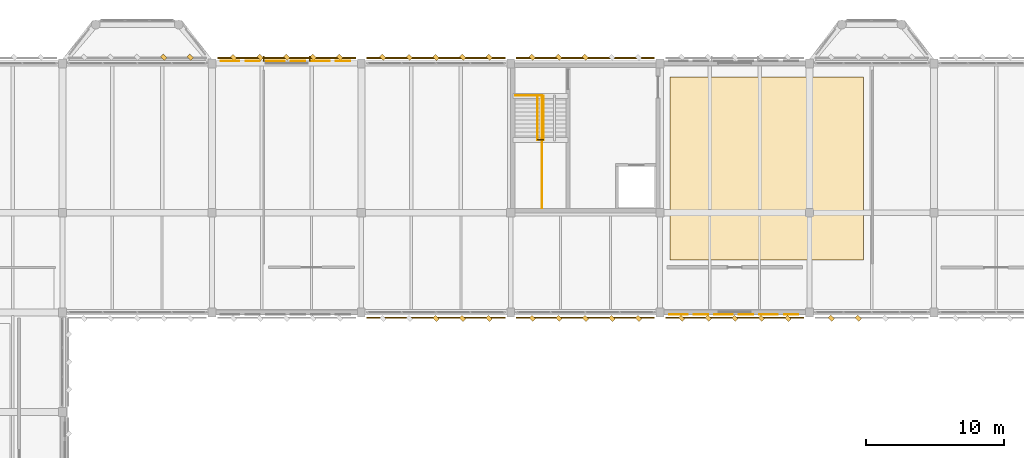
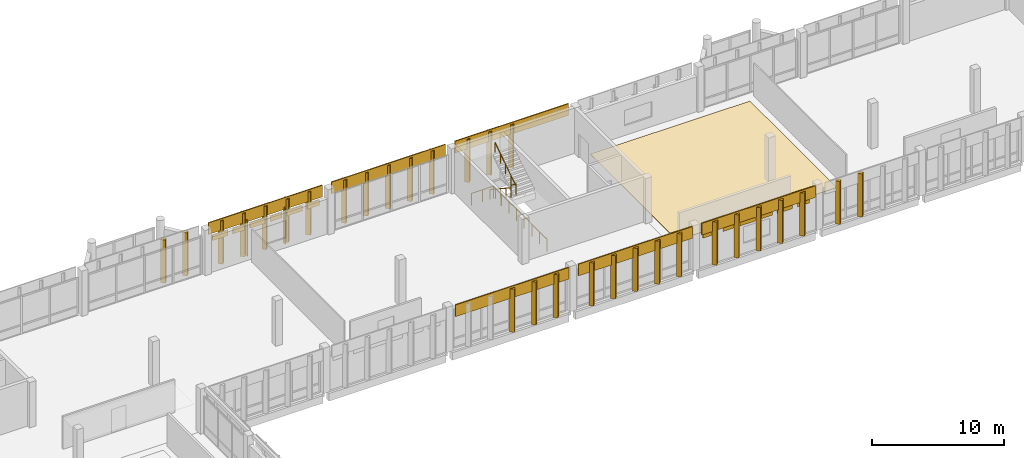
# One storey, part 150 of 158: 51 coverings, 4 railings.
"""IFC4 building model written with IfcOpenShell, lengths in metres."""

import ifcopenshell
import ifcopenshell.guid

model = None  # the IFC model being written
_history = None  # IfcOwnerHistory: only IFC2X3 demands one
_inside = {}  # id of a spatial element -> (the spatial element, [elements in it])
_under = {}  # id of a project, library or spatial element -> (it, [spatial elements below it])
_declared = {}  # id of a project -> (the project, [libraries it declares])
_typed = {}  # id of a type object -> (the type object, [elements of that type])
_made_of = {}  # id of a material, layer set ... -> (it, [elements and type objects made of it])


def new_model(schema):
    """Start an empty IFC model of exactly this schema.

    Asked for "IFC4X3", IfcOpenShell would pick the latest addendum, in which some entities
    have other attributes; the version numbers below select the first issue.
    IFC2X3 requires an IfcOwnerHistory on every rooted entity: one is made here for all.
    """
    global model, _history
    if schema == "IFC4X3":
        model = ifcopenshell.file(schema_version=(4, 3, 0, 0))
    else:
        model = ifcopenshell.file(schema=schema)
    _inside.clear()
    _under.clear()
    _declared.clear()
    _typed.clear()
    _made_of.clear()
    _history = None
    if model.schema == "IFC2X3":
        org = make("IfcOrganization", Name="unknown")
        user = make(
            "IfcPersonAndOrganization",
            ThePerson=make("IfcPerson", FamilyName="unknown"),
            TheOrganization=org,
        )
        app = make(
            "IfcApplication",
            ApplicationDeveloper=org,
            Version="unknown",
            ApplicationFullName="unknown",
            ApplicationIdentifier="unknown",
        )
        _history = make(
            "IfcOwnerHistory",
            OwningUser=user,
            OwningApplication=app,
            ChangeAction="ADDED",
            CreationDate=0,
        )
    return model


def make(cls, **values):
    """One entity of the class cls with the attributes given. An attribute that is None is left unset."""
    return model.create_entity(
        cls, **{name: value for name, value in values.items() if value is not None}
    )


def rooted(cls, **values):
    """An entity with a GlobalId (a new one), such as an element, a storey or a relation."""
    return make(cls, GlobalId=ifcopenshell.guid.new(), OwnerHistory=_history, **values)


def si_unit(unit_type, name, prefix=None):
    """IfcSIUnit, for example si_unit("LENGTHUNIT", "METRE", prefix="MILLI")."""
    return make("IfcSIUnit", UnitType=unit_type, Prefix=prefix, Name=name)


def assignment(units):
    """IfcUnitAssignment: the units of a project."""
    return None if units is None else make("IfcUnitAssignment", Units=units)


def point(xyz):
    """IfcCartesianPoint."""
    return None if xyz is None else make("IfcCartesianPoint", Coordinates=xyz)


def direction(xyz):
    """IfcDirection."""
    return None if xyz is None else make("IfcDirection", DirectionRatios=xyz)


def frame(location, z_axis=None, x_axis=None):
    """IfcAxis2Placement3D, a coordinate frame: its origin and axes. An axis left out is left unset."""
    return make(
        "IfcAxis2Placement3D",
        Location=point(location),
        Axis=direction(z_axis),
        RefDirection=direction(x_axis),
    )


def frame_2d(location, x_axis=None):
    """IfcAxis2Placement2D, a coordinate frame in the plane: its origin and x axis."""
    return make(
        "IfcAxis2Placement2D", Location=point(location), RefDirection=direction(x_axis)
    )


def origin():
    """The frame at (0, 0, 0) with its axes left unset."""
    return frame((0.0, 0.0, 0.0))


def origin_2d():
    """The frame at (0, 0) in the plane with its x axis left unset."""
    return frame_2d((0.0, 0.0))


def place(relative_to, where):
    """IfcLocalPlacement: puts the frame where relative to a parent placement (None: the world)."""
    return make(
        "IfcLocalPlacement", PlacementRelTo=relative_to, RelativePlacement=where
    )


def context(
    kind, dimensions, precision=None, world=None, true_north=None, identifier=None
):
    """IfcGeometricRepresentationContext, for example the 3D "Model" context."""
    return make(
        "IfcGeometricRepresentationContext",
        ContextIdentifier=identifier,
        ContextType=kind,
        CoordinateSpaceDimension=dimensions,
        Precision=precision,
        WorldCoordinateSystem=world,
        TrueNorth=true_north,
    )


def subcontext(parent, identifier, kind, view, scale=None):
    """IfcGeometricRepresentationSubContext, for example "Body" below "Model"."""
    return make(
        "IfcGeometricRepresentationSubContext",
        ContextIdentifier=identifier,
        ContextType=kind,
        ParentContext=parent,
        TargetScale=scale,
        TargetView=view,
    )


def project(units=None, contexts=None):
    """IfcProject with its units and contexts."""
    return rooted(
        "IfcProject",
        Name="project",
        RepresentationContexts=contexts,
        UnitsInContext=assignment(units),
    )


def spatial(cls, under=None, at=None, **own):
    """A site, building, storey or space (cls), placed at a placement, below another one or the project."""
    s = rooted(cls, ObjectPlacement=at, **own)
    if under is not None:
        _under.setdefault(under.id(), (under, []))[1].append(s)
    return s


def polyline(points):
    """IfcPolyline through the points."""
    return make("IfcPolyline", Points=[point(p) for p in points])


def profile(cls, at=None, kind="AREA", **sizes):
    """A parametric profile (cls). Its sizes go by their IFC names, for example OverallWidth=200.0."""
    return make(cls, ProfileType=kind, Position=at, **sizes)


def rectangle(**sizes):
    """IfcRectangleProfileDef."""
    return profile("IfcRectangleProfileDef", **sizes)


def circle(**sizes):
    """IfcCircleProfileDef."""
    return profile("IfcCircleProfileDef", **sizes)


def outline(outer, holes=None, kind="AREA"):
    """IfcArbitraryClosedProfileDef: a profile drawn as a closed curve; with holes, ...WithVoids."""
    if holes is None:
        return make("IfcArbitraryClosedProfileDef", ProfileType=kind, OuterCurve=outer)
    return make(
        "IfcArbitraryProfileDefWithVoids",
        ProfileType=kind,
        OuterCurve=outer,
        InnerCurves=holes,
    )


def extrude(swept, where, along, depth):
    """IfcExtrudedAreaSolid: the profile swept, set in the frame where, extruded along a direction by depth."""
    return make(
        "IfcExtrudedAreaSolid",
        SweptArea=swept,
        Position=where,
        ExtrudedDirection=direction(along),
        Depth=depth,
    )


def shape(context_of_items, identifier, shape_type, items):
    """IfcShapeRepresentation: the items that make up one representation, for example the "Body"."""
    return make(
        "IfcShapeRepresentation",
        ContextOfItems=context_of_items,
        RepresentationIdentifier=identifier,
        RepresentationType=shape_type,
        Items=items,
    )


def material(Name=None, Category=None):
    """IfcMaterial."""
    return make("IfcMaterial", Name=Name, Category=Category)


def layer(
    of_material, thickness, ventilated=None, Name=None, Category=None, Priority=None
):
    """IfcMaterialLayer: one layer of a wall or slab, of a material (None: an air gap)."""
    return make(
        "IfcMaterialLayer",
        Material=of_material,
        LayerThickness=thickness,
        IsVentilated=ventilated,
        Name=Name,
        Category=Category,
        Priority=Priority,
    )


def layer_set(layers, Name=None):
    """IfcMaterialLayerSet."""
    return make("IfcMaterialLayerSet", MaterialLayers=layers, LayerSetName=Name)


def made_of(thing, what):
    """Note that an element or type object is made of a material, layer set ...; save() writes the relation."""
    if what is not None:
        _made_of.setdefault(what.id(), (what, []))[1].append(thing)
    return thing


def type_object(cls, material=None, **own):
    """A type object (cls), such as IfcWallType, which elements share."""
    return made_of(rooted(cls, **own), material)


def element(
    cls,
    number,
    at=None,
    inside=None,
    cuts=None,
    type_object=None,
    material=None,
    context=None,
    identifier="Body",
    shape_type=None,
    held_by="IfcProductDefinitionShape",
    body=None,
    shapes=None,
    **own,
):
    """One element of the class cls, such as IfcWall. Its Tag is "e" and its number.

    at: its placement. inside: the storey or other place that contains it. cuts: it is an
    opening in that element (IfcRelVoidsElement). A single representation is given by context,
    identifier, shape_type and body (its items); several are given by shapes. held_by: the class
    of the entity that holds the representations. save() writes the other relations.
    """
    e = rooted(cls, Tag="e%d" % number, ObjectPlacement=at, **own)
    if body is not None:
        shapes = [shape(context, identifier, shape_type, body)]
    if shapes is not None:
        e.Representation = make(held_by, Representations=shapes)
    if inside is not None:
        _inside.setdefault(inside.id(), (inside, []))[1].append(e)
    if cuts is not None:
        rooted(
            "IfcRelVoidsElement", RelatingBuildingElement=cuts, RelatedOpeningElement=e
        )
    if type_object is not None:
        _typed.setdefault(type_object.id(), (type_object, []))[1].append(e)
    return made_of(e, material)


def aggregate(whole, parts):
    """IfcRelAggregates: a whole, such as a stair, and the parts it consists of."""
    return rooted("IfcRelAggregates", RelatingObject=whole, RelatedObjects=parts)


def save(model, path):
    """Write the relations noted so far, then the file.

    IfcRelAggregates (storeys below a building ...), IfcRelContainedInSpatialStructure (elements
    in a storey), IfcRelDefinesByType, IfcRelAssociatesMaterial and IfcRelDeclares: one each for
    every whole, place, type object, material and project.
    """
    for whole, parts in _under.values():
        aggregate(whole, parts)
    for where, things in _inside.values():
        rooted(
            "IfcRelContainedInSpatialStructure",
            RelatedElements=things,
            RelatingStructure=where,
        )
    for kind, things in _typed.values():
        rooted("IfcRelDefinesByType", RelatedObjects=things, RelatingType=kind)
    for what, things in _made_of.values():
        rooted("IfcRelAssociatesMaterial", RelatedObjects=things, RelatingMaterial=what)
    for by, libraries in _declared.values():
        rooted("IfcRelDeclares", RelatingContext=by, RelatedDefinitions=libraries)
    model.write(path)


model = new_model("IFC4")

# Units and contexts
model_context = context("Model", 3, precision=1e-05, world=origin(), true_north=direction((0.0, 1.0)))
body_context = subcontext(model_context, "Body", "Model", "MODEL_VIEW")
ifc_project = project(units=[si_unit("LENGTHUNIT", "METRE"), si_unit("AREAUNIT", "SQUARE_METRE"), si_unit("VOLUMEUNIT", "CUBIC_METRE"), si_unit("PLANEANGLEUNIT", "RADIAN"), si_unit("MASSUNIT", "GRAM", prefix="KILO")], contexts=[model_context])

# Site, building, storey
site_placement = place(None, origin())
site = spatial("IfcSite", under=ifc_project, at=site_placement, CompositionType="ELEMENT")
building_placement = place(site_placement, origin())
building = spatial("IfcBuilding", under=site, at=building_placement, Name="Lusvemor Sports Hall", CompositionType="ELEMENT")
storey_placement = place(building_placement, frame((0.0, 0.0, 10.800048828125)))
storey = spatial("IfcBuildingStorey", under=building, at=storey_placement, Name="L02", CompositionType="ELEMENT", Elevation=10.800048828125)

# Coverings
ifc_material_1 = material(Name="Emerald polychrome glazed ceramic cladding on Concrete C40/50 backing", Category="concrete")
ifc_layer_1 = layer(ifc_material_1, 0.0458984375)
ifc_layer_set_1 = layer_set([ifc_layer_1], Name="Emerald polychrome glazed ceramic cladding on Concrete C40/50 backing")
covering_type_1 = type_object("IfcCoveringType", Name="CLAD_WAVE_EMERALD", PredefinedType="CLADDING", material=ifc_layer_set_1)
for number, where, z_axis, x_axis, name in (
    (1, (33.716796875, 115.365478515625, 2.65478515625), (0.0, 0.0, 1.0), (1.0, 0.0, 0.0), "Art Nouveau Patterned Cladding PS-EW-L02-N-1-3-1"),
    (2, (36.9833984375, 115.365478515625, 2.65478515625), (0.0, 0.0, 1.0), (1.0, 0.0, 0.0), "Art Nouveau Patterned Cladding PS-EW-L02-N-1-3-3"),
    (3, (40.25, 115.365478515625, 2.65478515625), (0.0, 0.0, 1.0), (1.0, 0.0, 0.0), "Art Nouveau Patterned Cladding PS-EW-L02-N-1-3-5"),
    (4, (66.11669921875, 97.034423828125, 2.65478515625), (0.0, 0.0, 1.0), (1.0, 0.0, 0.0), "Art Nouveau Patterned Cladding PS-EW-L02-S-3-4-1"),
    (5, (69.38330078125, 97.034423828125, 2.65478515625), (0.0, 0.0, 1.0), (1.0, 0.0, 0.0), "Art Nouveau Patterned Cladding PS-EW-L02-S-3-4-3"),
    (6, (72.64990234375, 97.034423828125, 2.65478515625), (0.0, 0.0, 1.0), (1.0, 0.0, 0.0), "Art Nouveau Patterned Cladding PS-EW-L02-S-3-4-5"),
):
    element("IfcCovering", number, at=place(storey_placement, frame(where, z_axis=z_axis, x_axis=x_axis)), inside=storey, type_object=covering_type_1, Name=name, PredefinedType="CLADDING", context=body_context, shape_type="SweptSolid", body=[
        extrude(rectangle(XDim=1.33935546875, YDim=0.0458984375, at=origin_2d()), origin(), (0.0, 0.0, 1.0), 0.510009765625),
    ])
for number, where, z_axis, x_axis, name in (
    (7, (28.919921875, 115.639892578125, 0.099853515625), (0.0, 0.0, 1.0), (0.707106781187, 0.707106781187, 0.0), "Patterned Diamond Cladding Rib 572"),
    (8, (35.8798828125, 115.639892578125, 0.099853515625), (0.0, 0.0, 1.0), (0.707106781187, 0.707106781187, 0.0), "Patterned Diamond Cladding Rib 600"),
    (9, (39.719970703125, 115.639892578125, 0.099853515625), (0.0, 0.0, 1.0), (0.707106781187, 0.707106781187, 0.0), "Patterned Diamond Cladding Rib 602"),
    (10, (46.679931640625, 115.639892578125, 0.099853515625), (0.0, 0.0, 1.0), (0.707106781187, 0.707106781187, 0.0), "Patterned Diamond Cladding Rib 630"),
    (11, (50.52001953125, 115.639892578125, 0.099853515625), (0.0, 0.0, 1.0), (0.707106781187, 0.707106781187, 0.0), "Patterned Diamond Cladding Rib 632"),
    (12, (57.47998046875, 115.639892578125, 0.099853515625), (0.0, 0.0, 1.0), (0.707106781187, 0.707106781187, 0.0), "Patterned Diamond Cladding Rib 660"),
    (13, (50.52001953125, 96.760009765625, 0.099853515625), (0.0, 0.0, 1.0), (0.707106781187, 0.707106781187, 0.0), "Patterned Diamond Cladding Rib 1226"),
    (14, (57.47998046875, 96.760009765625, 0.099853515625), (0.0, 0.0, 1.0), (0.707106781187, 0.707106781187, 0.0), "Patterned Diamond Cladding Rib 1248"),
    (15, (61.320068359375, 96.760009765625, 0.099853515625), (0.0, 0.0, 1.0), (0.707106781187, 0.707106781187, 0.0), "Patterned Diamond Cladding Rib 1250"),
    (16, (68.280029296875, 96.760009765625, 0.099853515625), (0.0, 0.0, 1.0), (0.707106781187, 0.707106781187, 0.0), "Patterned Diamond Cladding Rib 1272"),
    (17, (72.1201171875, 96.760009765625, 0.099853515625), (0.0, 0.0, 1.0), (0.707106781187, 0.707106781187, 0.0), "Patterned Diamond Cladding Rib 1274"),
    (18, (79.125, 96.760009765625, 0.099853515625), (0.0, 0.0, 1.0), (0.707106781187, 0.707106781187, 0.0), "Patterned Diamond Cladding Rib 1294"),
):
    element("IfcCovering", number, at=place(storey_placement, frame(where, z_axis=z_axis, x_axis=x_axis)), inside=storey, type_object=covering_type_1, Name=name, PredefinedType="CLADDING", context=body_context, shape_type="SweptSolid", body=[
        extrude(rectangle(XDim=0.280029296875, YDim=0.3798828125, at=origin_2d()), origin(), (0.0, 0.0, 1.0), 4.0),
    ])
ifc_material_2 = material(Name="Warm terracotta Art Nouveau ceramic cladding on Concrete C40/50 backing", Category="masonry")
ifc_layer_2 = layer(ifc_material_2, 0.0380859375)
ifc_layer_set_2 = layer_set([ifc_layer_2], Name="Warm terracotta Art Nouveau ceramic cladding on Concrete C40/50 backing")
covering_type_2 = type_object("IfcCoveringType", Name="CLAD_WAVE_OCHRE", PredefinedType="CLADDING", material=ifc_layer_set_2)
for number, where, z_axis, x_axis, name in (
    (19, (35.35009765625, 115.361572265625, 2.65478515625), (0.0, 0.0, 1.0), (1.0, 0.0, 0.0), "Art Nouveau Patterned Cladding PS-EW-L02-N-1-3-2"),
    (20, (38.61669921875, 115.361572265625, 2.65478515625), (0.0, 0.0, 1.0), (1.0, 0.0, 0.0), "Art Nouveau Patterned Cladding PS-EW-L02-N-1-3-4"),
    (21, (41.88330078125, 115.361572265625, 2.65478515625), (0.0, 0.0, 1.0), (1.0, 0.0, 0.0), "Art Nouveau Patterned Cladding PS-EW-L02-N-1-3-6"),
    (22, (67.75, 97.03857421875, 2.65478515625), (0.0, 0.0, 1.0), (1.0, 0.0, 0.0), "Art Nouveau Patterned Cladding PS-EW-L02-S-3-4-2"),
    (23, (71.0166015625, 97.03857421875, 2.65478515625), (0.0, 0.0, 1.0), (1.0, 0.0, 0.0), "Art Nouveau Patterned Cladding PS-EW-L02-S-3-4-4"),
    (24, (74.283203125, 97.03857421875, 2.65478515625), (0.0, 0.0, 1.0), (1.0, 0.0, 0.0), "Art Nouveau Patterned Cladding PS-EW-L02-S-3-4-6"),
):
    element("IfcCovering", number, at=place(storey_placement, frame(where, z_axis=z_axis, x_axis=x_axis)), inside=storey, type_object=covering_type_2, Name=name, PredefinedType="CLADDING", context=body_context, shape_type="SweptSolid", body=[
        extrude(rectangle(XDim=1.04541015625, YDim=0.0380859375, at=origin_2d()), origin(), (0.0, 0.0, 1.0), 0.510009765625),
    ])
for number, where, z_axis, x_axis, name in (
    (25, (37.800048828125, 115.590087890625, 3.179931640625), (0.0, 0.0, 1.0), (1.0, 0.0, 0.0), "Art Nouveau Spandrel Cornice 598"),
    (26, (48.60009765625, 115.590087890625, 3.179931640625), (0.0, 0.0, 1.0), (1.0, 0.0, 0.0), "Art Nouveau Spandrel Cornice 628"),
    (27, (59.39990234375, 115.590087890625, 3.179931640625), (0.0, 0.0, 1.0), (1.0, 0.0, 0.0), "Art Nouveau Spandrel Cornice 658"),
    (28, (48.60009765625, 96.81005859375, 3.179931640625), (0.0, 0.0, 1.0), (1.0, 0.0, 0.0), "Art Nouveau Spandrel Cornice 1222"),
    (29, (59.39990234375, 96.81005859375, 3.179931640625), (0.0, 0.0, 1.0), (1.0, 0.0, 0.0), "Art Nouveau Spandrel Cornice 1246"),
    (30, (70.199951171875, 96.81005859375, 3.179931640625), (0.0, 0.0, 1.0), (1.0, 0.0, 0.0), "Art Nouveau Spandrel Cornice 1270"),
):
    element("IfcCovering", number, at=place(storey_placement, frame(where, z_axis=z_axis, x_axis=x_axis)), inside=storey, type_object=covering_type_2, Name=name, PredefinedType="CLADDING", context=body_context, shape_type="SweptSolid", body=[
        extrude(rectangle(XDim=9.97998046875, YDim=0.090087890625, at=origin_2d()), origin(), (0.0, 0.0, 1.0), 1.080078125),
    ])
ifc_material_3 = material(Name="Slip-resistant porcelain ceramic tile flooring")
ifc_layer_3 = layer(ifc_material_3, 0.030029296875)
ifc_layer_set_3 = layer_set([ifc_layer_3], Name="Slip-resistant porcelain ceramic tile flooring")
covering_type_3 = type_object("IfcCoveringType", Name="COV_TILE_PORC", PredefinedType="FLOORING", material=ifc_layer_set_3)
covering_placement = place(storey_placement, origin())
element("IfcCovering", 31, at=covering_placement, inside=storey, type_object=covering_type_3, Name="Porcelain Wet-Area Flooring 5", PredefinedType="FLOORING", context=body_context, shape_type="SweptSolid", body=[
    extrude(outline(polyline([(65.5, 101.0), (79.5, 101.0), (79.5, 114.199951171875), (65.5, 114.199951171875), (65.5, 101.0)])), origin(), (0.0, 0.0, 1.0), 0.030029296875),
])
ifc_material_4 = material(Name="Emerald polychrome glazed ceramic cladding on Concrete C40/50 backing", Category="concrete")
ifc_layer_4 = layer(ifc_material_4, 0.35009765625)
ifc_layer_set_4 = layer_set([ifc_layer_4], Name="Emerald polychrome glazed ceramic cladding on Concrete C40/50 backing")
covering_type_4 = type_object("IfcCoveringType", Name="FIN_BRISE_CER_350", PredefinedType="MOLDING", material=ifc_layer_set_4)
for number, where, z_axis, x_axis, name in (
    (32, (36.139892578125, 115.527587890625, 0.10009765625), (0.0, 0.0, 1.0), (1.0, 0.0, 0.0), "Wing Brise-Soleil Fin L02-N-1-3-1"),
    (33, (39.4599609375, 115.527587890625, 0.10009765625), (0.0, 0.0, 1.0), (1.0, 0.0, 0.0), "Wing Brise-Soleil Fin L02-N-1-3-2"),
):
    element("IfcCovering", number, at=place(storey_placement, frame(where, z_axis=z_axis, x_axis=x_axis)), inside=storey, type_object=covering_type_4, Name=name, PredefinedType="MOLDING", context=body_context, shape_type="SweptSolid", body=[
        extrude(rectangle(XDim=0.080078125, YDim=0.35009765625, at=origin_2d()), origin(), (0.0, 0.0, 1.0), 3.320068359375),
    ])
ifc_material_5 = material(Name="Warm terracotta Art Nouveau ceramic cladding on Concrete C40/50 backing", Category="masonry")
ifc_layer_5 = layer(ifc_material_5, 0.449951171875)
ifc_layer_set_5 = layer_set([ifc_layer_5], Name="Warm terracotta Art Nouveau ceramic cladding on Concrete C40/50 backing")
covering_type_5 = type_object("IfcCoveringType", Name="FIN_BRISE_CER_450", PredefinedType="MOLDING", material=ifc_layer_set_5)
for number, where, z_axis, x_axis, name in (
    (34, (30.840087890625, 115.639892578125, 0.099853515625), (0.0, 0.0, 1.0), (0.707106781187, 0.707106781187, 0.0), "Patterned Diamond Cladding Rib 573"),
    (35, (33.9599609375, 115.639892578125, 0.099853515625), (0.0, 0.0, 1.0), (0.707106781187, 0.707106781187, 0.0), "Patterned Diamond Cladding Rib 599"),
    (36, (37.800048828125, 115.639892578125, 0.099853515625), (0.0, 0.0, 1.0), (0.707106781187, 0.707106781187, 0.0), "Patterned Diamond Cladding Rib 601"),
    (37, (41.639892578125, 115.639892578125, 0.099853515625), (0.0, 0.0, 1.0), (0.707106781187, 0.707106781187, 0.0), "Patterned Diamond Cladding Rib 603"),
    (38, (44.760009765625, 115.639892578125, 0.099853515625), (0.0, 0.0, 1.0), (0.707106781187, 0.707106781187, 0.0), "Patterned Diamond Cladding Rib 629"),
    (39, (48.60009765625, 115.639892578125, 0.099853515625), (0.0, 0.0, 1.0), (0.707106781187, 0.707106781187, 0.0), "Patterned Diamond Cladding Rib 631"),
    (40, (52.43994140625, 115.639892578125, 0.099853515625), (0.0, 0.0, 1.0), (0.707106781187, 0.707106781187, 0.0), "Patterned Diamond Cladding Rib 633"),
    (41, (55.56005859375, 115.639892578125, 0.099853515625), (0.0, 0.0, 1.0), (0.707106781187, 0.707106781187, 0.0), "Patterned Diamond Cladding Rib 659"),
    (42, (59.39990234375, 115.639892578125, 0.099853515625), (0.0, 0.0, 1.0), (0.707106781187, 0.707106781187, 0.0), "Patterned Diamond Cladding Rib 661"),
    (43, (48.60009765625, 96.760009765625, 0.099853515625), (0.0, 0.0, 1.0), (0.707106781187, 0.707106781187, 0.0), "Patterned Diamond Cladding Rib 1225"),
    (44, (52.43994140625, 96.760009765625, 0.099853515625), (0.0, 0.0, 1.0), (0.707106781187, 0.707106781187, 0.0), "Patterned Diamond Cladding Rib 1227"),
    (45, (55.56005859375, 96.760009765625, 0.099853515625), (0.0, 0.0, 1.0), (0.707106781187, 0.707106781187, 0.0), "Patterned Diamond Cladding Rib 1247"),
    (46, (59.39990234375, 96.760009765625, 0.099853515625), (0.0, 0.0, 1.0), (0.707106781187, 0.707106781187, 0.0), "Patterned Diamond Cladding Rib 1249"),
    (47, (63.239990234375, 96.760009765625, 0.099853515625), (0.0, 0.0, 1.0), (0.707106781187, 0.707106781187, 0.0), "Patterned Diamond Cladding Rib 1251"),
    (48, (66.360107421875, 96.760009765625, 0.099853515625), (0.0, 0.0, 1.0), (0.707106781187, 0.707106781187, 0.0), "Patterned Diamond Cladding Rib 1271"),
    (49, (70.199951171875, 96.760009765625, 0.099853515625), (0.0, 0.0, 1.0), (0.707106781187, 0.707106781187, 0.0), "Patterned Diamond Cladding Rib 1273"),
    (50, (74.0400390625, 96.760009765625, 0.099853515625), (0.0, 0.0, 1.0), (0.707106781187, 0.707106781187, 0.0), "Patterned Diamond Cladding Rib 1275"),
    (51, (77.175048828125, 96.760009765625, 0.099853515625), (0.0, 0.0, 1.0), (0.707106781187, 0.707106781187, 0.0), "Patterned Diamond Cladding Rib 1293"),
):
    element("IfcCovering", number, at=place(storey_placement, frame(where, z_axis=z_axis, x_axis=x_axis)), inside=storey, type_object=covering_type_5, Name=name, PredefinedType="MOLDING", context=body_context, shape_type="SweptSolid", body=[
        extrude(rectangle(XDim=0.280029296875, YDim=0.3798828125, at=origin_2d()), origin(), (0.0, 0.0, 1.0), 4.0),
    ])

# Railings
ifc_material_6 = material(Name="Bronze-finished wrought-steel Art Nouveau balustrade", Category="steel")
railing_type_1 = type_object("IfcRailingType", Name="RAIL_HANDRAIL_092", PredefinedType="HANDRAIL", material=ifc_material_6)
railing_1_placement = place(storey_placement, frame((55.93994140625, 112.85009765625, 0.0)))
element("IfcRailing", 52, at=railing_1_placement, inside=storey, type_object=railing_type_1, Name="Stair STR-C2-L02 Handrail F1", PredefinedType="HANDRAIL", context=body_context, shape_type="SweptSolid", body=[
    extrude(circle(Radius=0.02392578125, at=origin_2d()), frame((0.0, 0.0, 0.89599609375), z_axis=(0.0, -0.835291159344, 0.549807856548), x_axis=(1.0, 0.0, 0.0)), (0.0, 0.0, 1.0), 3.8193359375),
    extrude(circle(Radius=0.02099609375, at=origin_2d()), origin(), (0.0, 0.0, 1.0), 0.871826171875),
    extrude(circle(Radius=0.02099609375, at=origin_2d()), frame((0.0, -0.797607421875, 0.52490234375)), (0.0, 0.0, 1.0), 0.871826171875),
    extrude(circle(Radius=0.02099609375, at=origin_2d()), frame((0.0, -1.59521484375, 1.0498046875)), (0.0, 0.0, 1.0), 0.871826171875),
    extrude(circle(Radius=0.02099609375, at=origin_2d()), frame((0.0, -2.392578125, 1.574951171875)), (0.0, 0.0, 1.0), 0.871826171875),
    extrude(circle(Radius=0.02099609375, at=origin_2d()), frame((0.0, -3.190185546875, 2.099853515625)), (0.0, 0.0, 1.0), 0.871826171875),
])
railing_2_placement = place(storey_placement, frame((56.3798828125, 109.659912109375, 2.099853515625)))
element("IfcRailing", 53, at=railing_2_placement, inside=storey, type_object=railing_type_1, Name="Stair STR-C2-L02 Handrail F2", PredefinedType="HANDRAIL", context=body_context, shape_type="SweptSolid", body=[
    extrude(circle(Radius=0.02392578125, at=origin_2d()), frame((0.0, 0.0, 0.89599609375), z_axis=(0.0, 0.835261802243, 0.549852454495), x_axis=(-1.0, 0.0, 0.0)), (0.0, 0.0, 1.0), 3.8193359375),
    extrude(circle(Radius=0.02099609375, at=origin_2d()), origin(), (0.0, 0.0, 1.0), 0.871826171875),
    extrude(circle(Radius=0.02099609375, at=origin_2d()), frame((0.0, 0.797607421875, 0.52490234375)), (0.0, 0.0, 1.0), 0.871826171875),
    extrude(circle(Radius=0.02099609375, at=origin_2d()), frame((0.0, 1.59521484375, 1.050048828125)), (0.0, 0.0, 1.0), 0.871826171875),
    extrude(circle(Radius=0.02099609375, at=origin_2d()), frame((0.0, 2.392578125, 1.5751953125)), (0.0, 0.0, 1.0), 0.871826171875),
    extrude(circle(Radius=0.02099609375, at=origin_2d()), frame((0.0, 3.190185546875, 2.10009765625)), (0.0, 0.0, 1.0), 0.871826171875),
])
ifc_material_7 = material(Name="Bronze-finished wrought-steel Art Nouveau balustrade", Category="steel")
railing_type_2 = type_object("IfcRailingType", Name="RAIL_STAIR_GUARD_112", PredefinedType="GUARDRAIL", material=ifc_material_7)
railing_3_placement = place(storey_placement, frame((54.340087890625, 112.8701171875, 0.0)))
element("IfcRailing", 54, at=railing_3_placement, inside=storey, type_object=railing_type_2, Name="Stairwell C2 Top Guard (L02)", PredefinedType="GUARDRAIL", context=body_context, shape_type="SweptSolid", body=[
    extrude(circle(Radius=0.02392578125, at=origin_2d()), frame((0.0, 0.0, 1.09619140625), z_axis=(1.0, 0.0, 0.0), x_axis=(0.0, 1.0, 0.0)), (0.0, 0.0, 1.0), 1.919921875),
    extrude(circle(Radius=0.02392578125, at=origin_2d()), frame((1.919921875, 0.0, 1.09619140625), z_axis=(0.0, -1.0, 0.0), x_axis=(1.0, 0.0, 0.0)), (0.0, 0.0, 1.0), 8.130126953125),
    extrude(circle(Radius=0.02099609375, at=origin_2d()), origin(), (0.0, 0.0, 1.0), 1.072021484375),
    extrude(circle(Radius=0.02099609375, at=origin_2d()), frame((0.9599609375, 0.0, 0.0)), (0.0, 0.0, 1.0), 1.072021484375),
    extrude(circle(Radius=0.02099609375, at=origin_2d()), frame((1.919921875, 0.0, 0.0)), (0.0, 0.0, 1.0), 1.072021484375),
    extrude(circle(Radius=0.02099609375, at=origin_2d()), frame((1.919921875, -1.161376953125, 0.0)), (0.0, 0.0, 1.0), 1.072021484375),
    extrude(circle(Radius=0.02099609375, at=origin_2d()), frame((1.919921875, -2.322998046875, 0.0)), (0.0, 0.0, 1.0), 1.072021484375),
    extrude(circle(Radius=0.02099609375, at=origin_2d()), frame((1.919921875, -3.484375, 0.0)), (0.0, 0.0, 1.0), 1.072021484375),
    extrude(circle(Radius=0.02099609375, at=origin_2d()), frame((1.919921875, -4.645751953125, 0.0)), (0.0, 0.0, 1.0), 1.072021484375),
    extrude(circle(Radius=0.02099609375, at=origin_2d()), frame((1.919921875, -5.80712890625, 0.0)), (0.0, 0.0, 1.0), 1.072021484375),
    extrude(circle(Radius=0.02099609375, at=origin_2d()), frame((1.919921875, -6.96875, 0.0)), (0.0, 0.0, 1.0), 1.072021484375),
    extrude(circle(Radius=0.02099609375, at=origin_2d()), frame((1.919921875, -8.130126953125, 0.0)), (0.0, 0.0, 1.0), 1.072021484375),
])
railing_4_placement = place(storey_placement, frame((55.93994140625, 109.679931640625, 2.099853515625)))
element("IfcRailing", 55, at=railing_4_placement, inside=storey, type_object=railing_type_2, Name="Stair STR-C2-L02 Mid Well Guard", PredefinedType="GUARDRAIL", context=body_context, shape_type="SweptSolid", body=[
    extrude(circle(Radius=0.02392578125, at=origin_2d()), frame((0.0, 0.0, 1.09619140625), z_axis=(1.0, 0.0, 0.0), x_axis=(0.0, 1.0, 0.0)), (0.0, 0.0, 1.0), 0.43994140625),
    extrude(circle(Radius=0.02099609375, at=origin_2d()), origin(), (0.0, 0.0, 1.0), 1.072021484375),
    extrude(circle(Radius=0.02099609375, at=origin_2d()), frame((0.43994140625, 0.0, 0.0)), (0.0, 0.0, 1.0), 1.072021484375),
])

save(model, "model.ifc")
